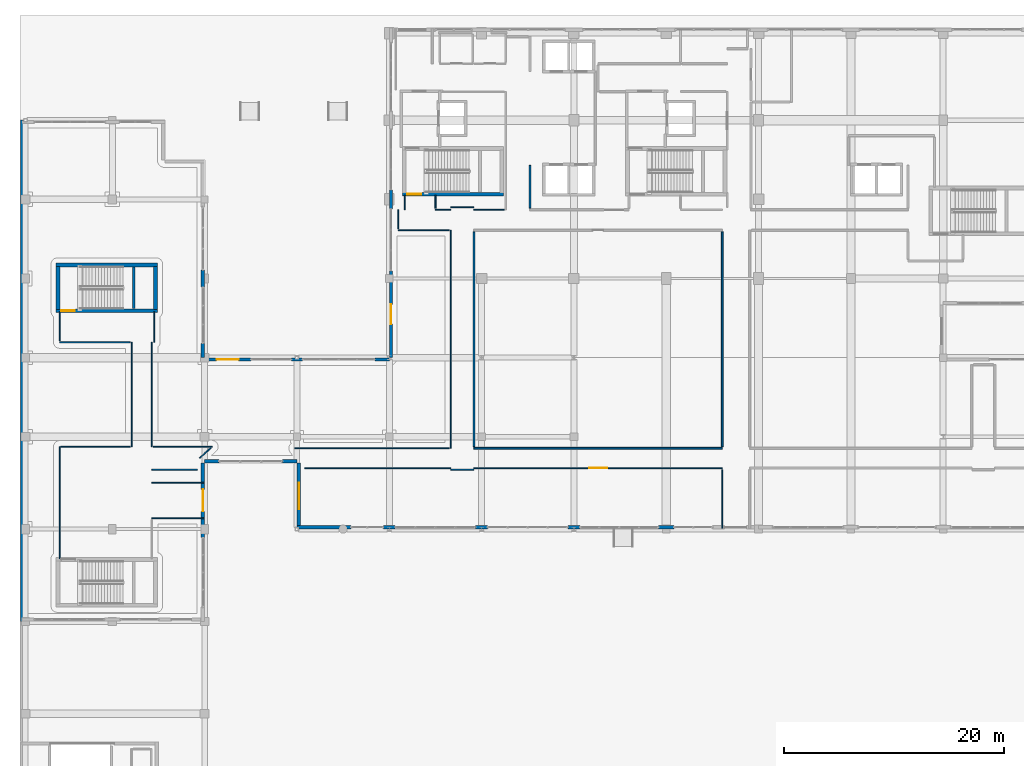
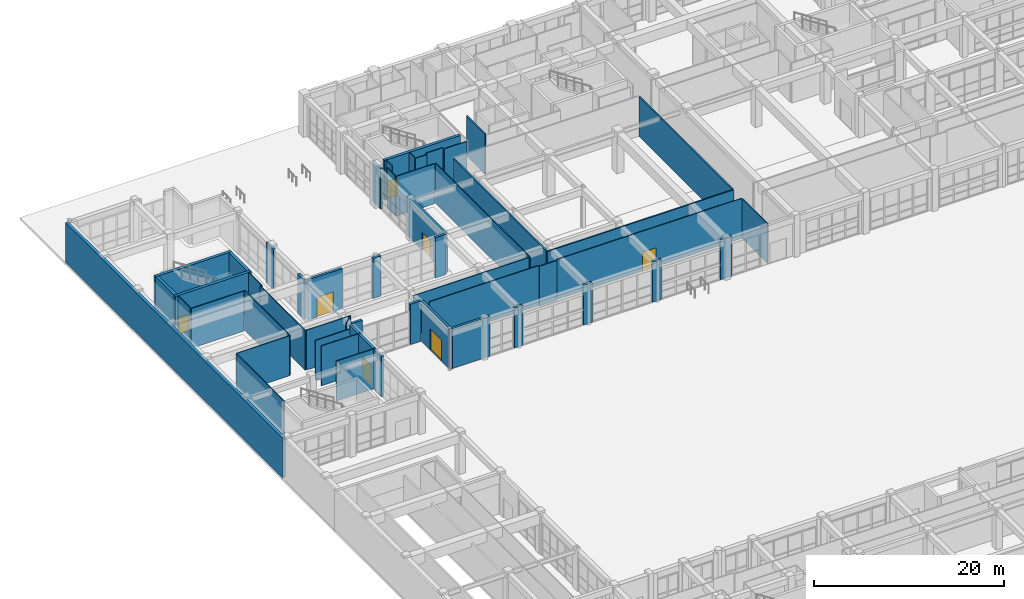
# One storey, part 130 of 148: 52 walls, 7 doors, 7 openings.
"""IFC4 building model written with IfcOpenShell, lengths in metres."""

import ifcopenshell
import ifcopenshell.guid

model = None  # the IFC model being written
_history = None  # IfcOwnerHistory: only IFC2X3 demands one
_inside = {}  # id of a spatial element -> (the spatial element, [elements in it])
_under = {}  # id of a project, library or spatial element -> (it, [spatial elements below it])
_declared = {}  # id of a project -> (the project, [libraries it declares])
_typed = {}  # id of a type object -> (the type object, [elements of that type])
_made_of = {}  # id of a material, layer set ... -> (it, [elements and type objects made of it])


def new_model(schema):
    """Start an empty IFC model of exactly this schema.

    Asked for "IFC4X3", IfcOpenShell would pick the latest addendum, in which some entities
    have other attributes; the version numbers below select the first issue.
    IFC2X3 requires an IfcOwnerHistory on every rooted entity: one is made here for all.
    """
    global model, _history
    if schema == "IFC4X3":
        model = ifcopenshell.file(schema_version=(4, 3, 0, 0))
    else:
        model = ifcopenshell.file(schema=schema)
    _inside.clear()
    _under.clear()
    _declared.clear()
    _typed.clear()
    _made_of.clear()
    _history = None
    if model.schema == "IFC2X3":
        org = make("IfcOrganization", Name="unknown")
        user = make(
            "IfcPersonAndOrganization",
            ThePerson=make("IfcPerson", FamilyName="unknown"),
            TheOrganization=org,
        )
        app = make(
            "IfcApplication",
            ApplicationDeveloper=org,
            Version="unknown",
            ApplicationFullName="unknown",
            ApplicationIdentifier="unknown",
        )
        _history = make(
            "IfcOwnerHistory",
            OwningUser=user,
            OwningApplication=app,
            ChangeAction="ADDED",
            CreationDate=0,
        )
    return model


def make(cls, **values):
    """One entity of the class cls with the attributes given. An attribute that is None is left unset."""
    return model.create_entity(
        cls, **{name: value for name, value in values.items() if value is not None}
    )


def rooted(cls, **values):
    """An entity with a GlobalId (a new one), such as an element, a storey or a relation."""
    return make(cls, GlobalId=ifcopenshell.guid.new(), OwnerHistory=_history, **values)


def si_unit(unit_type, name, prefix=None):
    """IfcSIUnit, for example si_unit("LENGTHUNIT", "METRE", prefix="MILLI")."""
    return make("IfcSIUnit", UnitType=unit_type, Prefix=prefix, Name=name)


def assignment(units):
    """IfcUnitAssignment: the units of a project."""
    return None if units is None else make("IfcUnitAssignment", Units=units)


def point(xyz):
    """IfcCartesianPoint."""
    return None if xyz is None else make("IfcCartesianPoint", Coordinates=xyz)


def direction(xyz):
    """IfcDirection."""
    return None if xyz is None else make("IfcDirection", DirectionRatios=xyz)


def frame(location, z_axis=None, x_axis=None):
    """IfcAxis2Placement3D, a coordinate frame: its origin and axes. An axis left out is left unset."""
    return make(
        "IfcAxis2Placement3D",
        Location=point(location),
        Axis=direction(z_axis),
        RefDirection=direction(x_axis),
    )


def frame_2d(location, x_axis=None):
    """IfcAxis2Placement2D, a coordinate frame in the plane: its origin and x axis."""
    return make(
        "IfcAxis2Placement2D", Location=point(location), RefDirection=direction(x_axis)
    )


def origin():
    """The frame at (0, 0, 0) with its axes left unset."""
    return frame((0.0, 0.0, 0.0))


def place(relative_to, where):
    """IfcLocalPlacement: puts the frame where relative to a parent placement (None: the world)."""
    return make(
        "IfcLocalPlacement", PlacementRelTo=relative_to, RelativePlacement=where
    )


def context(
    kind, dimensions, precision=None, world=None, true_north=None, identifier=None
):
    """IfcGeometricRepresentationContext, for example the 3D "Model" context."""
    return make(
        "IfcGeometricRepresentationContext",
        ContextIdentifier=identifier,
        ContextType=kind,
        CoordinateSpaceDimension=dimensions,
        Precision=precision,
        WorldCoordinateSystem=world,
        TrueNorth=true_north,
    )


def subcontext(parent, identifier, kind, view, scale=None):
    """IfcGeometricRepresentationSubContext, for example "Body" below "Model"."""
    return make(
        "IfcGeometricRepresentationSubContext",
        ContextIdentifier=identifier,
        ContextType=kind,
        ParentContext=parent,
        TargetScale=scale,
        TargetView=view,
    )


def project(units=None, contexts=None):
    """IfcProject with its units and contexts."""
    return rooted(
        "IfcProject",
        Name="project",
        RepresentationContexts=contexts,
        UnitsInContext=assignment(units),
    )


def spatial(cls, under=None, at=None, **own):
    """A site, building, storey or space (cls), placed at a placement, below another one or the project."""
    s = rooted(cls, ObjectPlacement=at, **own)
    if under is not None:
        _under.setdefault(under.id(), (under, []))[1].append(s)
    return s


def profile(cls, at=None, kind="AREA", **sizes):
    """A parametric profile (cls). Its sizes go by their IFC names, for example OverallWidth=200.0."""
    return make(cls, ProfileType=kind, Position=at, **sizes)


def rectangle(**sizes):
    """IfcRectangleProfileDef."""
    return profile("IfcRectangleProfileDef", **sizes)


def extrude(swept, where, along, depth):
    """IfcExtrudedAreaSolid: the profile swept, set in the frame where, extruded along a direction by depth."""
    return make(
        "IfcExtrudedAreaSolid",
        SweptArea=swept,
        Position=where,
        ExtrudedDirection=direction(along),
        Depth=depth,
    )


def shape(context_of_items, identifier, shape_type, items):
    """IfcShapeRepresentation: the items that make up one representation, for example the "Body"."""
    return make(
        "IfcShapeRepresentation",
        ContextOfItems=context_of_items,
        RepresentationIdentifier=identifier,
        RepresentationType=shape_type,
        Items=items,
    )


def material(Name=None, Category=None):
    """IfcMaterial."""
    return make("IfcMaterial", Name=Name, Category=Category)


def layer(
    of_material, thickness, ventilated=None, Name=None, Category=None, Priority=None
):
    """IfcMaterialLayer: one layer of a wall or slab, of a material (None: an air gap)."""
    return make(
        "IfcMaterialLayer",
        Material=of_material,
        LayerThickness=thickness,
        IsVentilated=ventilated,
        Name=Name,
        Category=Category,
        Priority=Priority,
    )


def layer_set(layers, Name=None):
    """IfcMaterialLayerSet."""
    return make("IfcMaterialLayerSet", MaterialLayers=layers, LayerSetName=Name)


def made_of(thing, what):
    """Note that an element or type object is made of a material, layer set ...; save() writes the relation."""
    if what is not None:
        _made_of.setdefault(what.id(), (what, []))[1].append(thing)
    return thing


def type_object(cls, material=None, **own):
    """A type object (cls), such as IfcWallType, which elements share."""
    return made_of(rooted(cls, **own), material)


def element(
    cls,
    number,
    at=None,
    inside=None,
    cuts=None,
    type_object=None,
    material=None,
    context=None,
    identifier="Body",
    shape_type=None,
    held_by="IfcProductDefinitionShape",
    body=None,
    shapes=None,
    **own,
):
    """One element of the class cls, such as IfcWall. Its Tag is "e" and its number.

    at: its placement. inside: the storey or other place that contains it. cuts: it is an
    opening in that element (IfcRelVoidsElement). A single representation is given by context,
    identifier, shape_type and body (its items); several are given by shapes. held_by: the class
    of the entity that holds the representations. save() writes the other relations.
    """
    e = rooted(cls, Tag="e%d" % number, ObjectPlacement=at, **own)
    if body is not None:
        shapes = [shape(context, identifier, shape_type, body)]
    if shapes is not None:
        e.Representation = make(held_by, Representations=shapes)
    if inside is not None:
        _inside.setdefault(inside.id(), (inside, []))[1].append(e)
    if cuts is not None:
        rooted(
            "IfcRelVoidsElement", RelatingBuildingElement=cuts, RelatedOpeningElement=e
        )
    if type_object is not None:
        _typed.setdefault(type_object.id(), (type_object, []))[1].append(e)
    return made_of(e, material)


def fill(opening, filler):
    """IfcRelFillsElement: the door or window that sits in an opening."""
    return rooted(
        "IfcRelFillsElement",
        RelatingOpeningElement=opening,
        RelatedBuildingElement=filler,
    )


def aggregate(whole, parts):
    """IfcRelAggregates: a whole, such as a stair, and the parts it consists of."""
    return rooted("IfcRelAggregates", RelatingObject=whole, RelatedObjects=parts)


def save(model, path):
    """Write the relations noted so far, then the file.

    IfcRelAggregates (storeys below a building ...), IfcRelContainedInSpatialStructure (elements
    in a storey), IfcRelDefinesByType, IfcRelAssociatesMaterial and IfcRelDeclares: one each for
    every whole, place, type object, material and project.
    """
    for whole, parts in _under.values():
        aggregate(whole, parts)
    for where, things in _inside.values():
        rooted(
            "IfcRelContainedInSpatialStructure",
            RelatedElements=things,
            RelatingStructure=where,
        )
    for kind, things in _typed.values():
        rooted("IfcRelDefinesByType", RelatedObjects=things, RelatingType=kind)
    for what, things in _made_of.values():
        rooted("IfcRelAssociatesMaterial", RelatedObjects=things, RelatingMaterial=what)
    for by, libraries in _declared.values():
        rooted("IfcRelDeclares", RelatingContext=by, RelatedDefinitions=libraries)
    model.write(path)


model = new_model("IFC4")

# Units and contexts
model_context = context("Model", 3, precision=1e-05, world=origin(), true_north=direction((0.0, 1.0)))
body_context = subcontext(model_context, "Body", "Model", "MODEL_VIEW")
ifc_project = project(units=[si_unit("LENGTHUNIT", "METRE"), si_unit("AREAUNIT", "SQUARE_METRE"), si_unit("VOLUMEUNIT", "CUBIC_METRE"), si_unit("PLANEANGLEUNIT", "RADIAN"), si_unit("MASSUNIT", "GRAM", prefix="KILO")], contexts=[model_context])

# Site, building, storey
site_placement = place(None, origin())
site = spatial("IfcSite", under=ifc_project, at=site_placement, CompositionType="ELEMENT")
building_placement = place(site_placement, origin())
building = spatial("IfcBuilding", under=site, at=building_placement, Name="Quendrovan Civic Courthouse", CompositionType="ELEMENT")
storey_placement = place(building_placement, origin())
storey = spatial("IfcBuildingStorey", under=building, at=storey_placement, Name="L01", CompositionType="ELEMENT", Elevation=0.0)

# Walls
ifc_material_1 = material(Name="Fire-rated gypsum stud partition")
ifc_layer_1 = layer(ifc_material_1, 0.159912109375, Name="Fire-rated gypsum stud partition")
ifc_layer_set_1 = layer_set([ifc_layer_1], Name="Fire-rated gypsum stud partition")
wall_type_1 = type_object("IfcWallType", Name="WL-COR-160", PredefinedType="PARTITIONING", material=ifc_layer_set_1)
wall_1_placement = place(storey_placement, frame((63.89990234375, 72.14990234375, 0.0), z_axis=(0.0, 0.0, 1.0), x_axis=(-1.0, 0.0, 0.0)))
element("IfcWall", 1, at=wall_1_placement, inside=storey, type_object=wall_type_1, Name="L01 Public Cafe Partition 0164", PredefinedType="PARTITIONING", context=body_context, shape_type="SweptSolid", body=[
    extrude(rectangle(XDim=22.599853515625, YDim=0.159912109375, at=frame_2d((11.2998046875, 0.0))), origin(), (0.0, 0.0, 1.0), 5.1201171875),
])
for number, where, z_axis, x_axis, name in (
    (2, (41.300048828125, 72.31005859375, 0.0), (0.0, 0.0, 1.0), (0.0, 1.0, 0.0), "L01 Public Cafe Partition 0170"),
    (3, (63.89990234375, 91.840087890625, 0.0), (0.0, 0.0, 1.0), (0.0, -1.0, 0.0), "L01 Public Cafe Partition 0171"),
):
    element("IfcWall", number, at=place(storey_placement, frame(where, z_axis=z_axis, x_axis=x_axis)), inside=storey, type_object=wall_type_1, Name=name, PredefinedType="PARTITIONING", context=body_context, shape_type="SweptSolid", body=[
        extrude(rectangle(XDim=19.530029296875, YDim=0.159912109375, at=frame_2d((9.76513671875, 0.0))), origin(), (0.0, 0.0, 1.0), 5.1201171875),
    ])
wall_2_placement = place(storey_placement, frame((46.39990234375, 94.010009765625, 0.0), z_axis=(0.0, 0.0, 1.0), x_axis=(0.0, 1.0, 0.0)))
element("IfcWall", 4, at=wall_2_placement, inside=storey, type_object=wall_type_1, Name="L01 Criminal Case Registry Partition 0239", PredefinedType="PARTITIONING", context=body_context, shape_type="SweptSolid", body=[
    extrude(rectangle(XDim=3.889892578125, YDim=0.159912109375, at=frame_2d((1.94482421875, 0.0))), origin(), (0.0, 0.0, 1.0), 5.1201171875),
])

# Wall, opening, door
ifc_material_2 = material(Name="Concrete C45/55", Category="concrete")
ifc_layer_2 = layer(ifc_material_2, 0.35009765625, Name="Concrete C45/55")
ifc_layer_set_2 = layer_set([ifc_layer_2], Name="Concrete C45/55")
wall_type_2 = type_object("IfcWallType", Name="WL-CORE-350", PredefinedType="SHEAR", material=ifc_layer_set_2)
wall_3_placement = place(storey_placement, frame((34.7900390625, 95.264892578125, 0.0), z_axis=(0.0, 0.0, 1.0), x_axis=(1.0, 0.0, 0.0)))
wall_3 = element("IfcWall", 5, at=wall_3_placement, inside=storey, type_object=wall_type_2, Name="L01 Core Shear Wall ST1-S", PredefinedType="SHEAR", context=body_context, shape_type="SweptSolid", body=[
    extrude(rectangle(XDim=9.219970703125, YDim=0.35009765625, at=frame_2d((4.60986328125, 0.0))), origin(), (0.0, 0.0, 1.0), 5.1201171875),
])
opening_1_placement = place(wall_3_placement, frame((0.449951171875, 0.0, 0.0)))
opening_1 = element("IfcOpeningElement", 6, at=opening_1_placement, cuts=wall_3, Name="Opening DS-ST1-L01", PredefinedType="OPENING", context=body_context, shape_type="SweptSolid", body=[
    extrude(rectangle(XDim=1.25, YDim=2.199951171875, at=frame_2d((0.625, 1.10009765625))), frame((0.0, 0.18505859375, 0.0), z_axis=(0.0, -1.0, 0.0), x_axis=(1.0, 0.0, 0.0)), (0.0, 0.0, 1.0), 0.3701171875),
])
ifc_material_3 = material(Name="Painted galvanized hollow-metal steel", Category="steel")
door_type_1 = type_object("IfcDoorType", Name="DR-STAIR-1250", OperationType="NOTDEFINED", PredefinedType="DOOR", material=ifc_material_3)
door_1_placement = place(opening_1_placement, origin())
door_1 = element("IfcDoor", 7, at=door_1_placement, inside=storey, type_object=door_type_1, Name="L01 Exit Stair ST1 Fire Door", OperationType="SINGLE_SWING_LEFT", OverallHeight=2.199951171875, OverallWidth=1.25, PredefinedType="DOOR", context=body_context, shape_type="SweptSolid", body=[
    extrude(rectangle(XDim=1.25, YDim=2.199951171875, at=frame_2d((0.625, 1.10009765625))), frame((0.0, 0.02490234375, 0.0), z_axis=(0.0, -1.0, 0.0), x_axis=(1.0, 0.0, 0.0)), (0.0, 0.0, 1.0), 0.050048828125),
])
fill(opening_1, door_1)

wall_4_placement = place(storey_placement, frame((3.2900390625, 84.6650390625, 0.0), z_axis=(0.0, 0.0, 1.0), x_axis=(1.0, 0.0, 0.0)))
wall_4 = element("IfcWall", 8, at=wall_4_placement, inside=storey, type_object=wall_type_2, Name="L01 Core Shear Wall ST8-S", PredefinedType="SHEAR", context=body_context, shape_type="SweptSolid", body=[
    extrude(rectangle(XDim=9.219970703125, YDim=0.35009765625, at=frame_2d((4.60986328125, 0.0))), origin(), (0.0, 0.0, 1.0), 5.1201171875),
])
opening_2_placement = place(wall_4_placement, frame((0.449951171875, 0.0, 0.0)))
opening_2 = element("IfcOpeningElement", 9, at=opening_2_placement, cuts=wall_4, Name="Opening DS-ST8-L01", PredefinedType="OPENING", context=body_context, shape_type="SweptSolid", body=[
    extrude(rectangle(XDim=1.25, YDim=2.199951171875, at=frame_2d((0.625, 1.10009765625))), frame((0.0, 0.18505859375, 0.0), z_axis=(0.0, -1.0, 0.0), x_axis=(1.0, 0.0, 0.0)), (0.0, 0.0, 1.0), 0.3701171875),
])
door_2_placement = place(opening_2_placement, origin())
door_2 = element("IfcDoor", 10, at=door_2_placement, inside=storey, type_object=door_type_1, Name="L01 Exit Stair ST8 Fire Door", OperationType="SINGLE_SWING_RIGHT", OverallHeight=2.199951171875, OverallWidth=1.25, PredefinedType="DOOR", context=body_context, shape_type="SweptSolid", body=[
    extrude(rectangle(XDim=1.25, YDim=2.199951171875, at=frame_2d((0.625, 1.10009765625))), frame((0.0, 0.02490234375, 0.0), z_axis=(0.0, -1.0, 0.0), x_axis=(1.0, 0.0, 0.0)), (0.0, 0.0, 1.0), 0.050048828125),
])
fill(opening_2, door_2)

# Walls
wall_5_placement = place(storey_placement, frame((12.510009765625, 88.8349609375, 0.0), z_axis=(0.0, 0.0, 1.0), x_axis=(-1.0, 0.0, 0.0)))
element("IfcWall", 11, at=wall_5_placement, inside=storey, type_object=wall_type_2, Name="L01 Core Shear Wall ST8-N", PredefinedType="SHEAR", context=body_context, shape_type="SweptSolid", body=[
    extrude(rectangle(XDim=9.219970703125, YDim=0.35009765625, at=frame_2d((4.60986328125, 0.0))), origin(), (0.0, 0.0, 1.0), 5.1201171875),
])
for number, where, z_axis, x_axis, name in (
    (12, (3.465087890625, 84.800048828125, 0.0), (0.0, 0.0, 1.0), (0.0, 1.0, 0.0), "L01 Core Shear Wall ST8-W"),
    (13, (12.3349609375, 88.699951171875, 0.0), (0.0, 0.0, 1.0), (0.0, -1.0, 0.0), "L01 Core Shear Wall ST8-E"),
):
    element("IfcWall", number, at=place(storey_placement, frame(where, z_axis=z_axis, x_axis=x_axis)), inside=storey, type_object=wall_type_2, Name=name, PredefinedType="SHEAR", context=body_context, shape_type="SweptSolid", body=[
        extrude(rectangle(XDim=3.89990234375, YDim=0.35009765625, at=frame_2d((1.949951171875, 0.0))), origin(), (0.0, 0.0, 1.0), 5.1201171875),
    ])

# Wall, opening, door
ifc_material_4 = material(Name="Precast concrete C45/55", Category="concrete")
ifc_layer_3 = layer(ifc_material_4, 0.2900390625, Name="Precast concrete C45/55")
ifc_layer_set_3 = layer_set([ifc_layer_3], Name="Precast concrete C45/55")
wall_type_3 = type_object("IfcWallType", Name="WL-EXT-PC290", PredefinedType="SOLIDWALL", material=ifc_layer_set_3)
wall_6_placement = place(storey_placement, frame((25.364990234375, 64.800048828125, 0.0), z_axis=(0.0, 0.0, 1.0), x_axis=(0.0, 1.0, 0.0)))
wall_6 = element("IfcWall", 14, at=wall_6_placement, inside=storey, type_object=wall_type_3, Name="L01 Exterior Civic Portal Wall 075", PredefinedType="SOLIDWALL", context=body_context, shape_type="SweptSolid", body=[
    extrude(rectangle(XDim=6.0, YDim=0.2900390625, at=frame_2d((3.0, 0.0))), origin(), (0.0, 0.0, 1.0), 5.179931640625),
])
opening_3_placement = place(wall_6_placement, frame((1.800048828125, 0.0, 0.0)))
opening_3 = element("IfcOpeningElement", 15, at=opening_3_placement, cuts=wall_6, Name="Opening DE-13", PredefinedType="OPENING", context=body_context, shape_type="SweptSolid", body=[
    extrude(rectangle(XDim=2.39990234375, YDim=2.699951171875, at=frame_2d((1.199951171875, 1.35009765625))), frame((0.0, 0.155029296875, 0.0), z_axis=(0.0, -1.0, 0.0), x_axis=(1.0, 0.0, 0.0)), (0.0, 0.0, 1.0), 0.31005859375),
])
ifc_material_5 = material(Name="Bronze anodised aluminium and low-E glass", Category="aluminium")
door_type_2 = type_object("IfcDoorType", Name="DR-EXT-MAIN-2400", OperationType="NOTDEFINED", PredefinedType="DOOR", material=ifc_material_5)
door_3_placement = place(opening_3_placement, origin())
door_3 = element("IfcDoor", 16, at=door_3_placement, inside=storey, type_object=door_type_2, Name="L01 Courtyard Civic Exit Door DE-13", OperationType="SINGLE_SWING_LEFT", OverallHeight=2.699951171875, OverallWidth=2.39990234375, PredefinedType="DOOR", context=body_context, shape_type="SweptSolid", body=[
    extrude(rectangle(XDim=2.39990234375, YDim=2.699951171875, at=frame_2d((1.199951171875, 1.35009765625))), frame((0.0, 0.02490234375, 0.0), z_axis=(0.0, -1.0, 0.0), x_axis=(1.0, 0.0, 0.0)), (0.0, 0.0, 1.0), 0.050048828125),
])
fill(opening_3, door_3)

# Walls
for number, where, z_axis, x_axis, name in (
    (17, (25.199951171875, 70.965087890625, 0.0), (0.0, 0.0, 1.0), (-1.0, 0.0, 0.0), "L01 Exterior Pier Wall 076"),
    (18, (18.10009765625, 70.965087890625, 0.0), (0.0, 0.0, 1.0), (-1.0, 0.0, 0.0), "L01 Exterior Pier Wall 077"),
):
    element("IfcWall", number, at=place(storey_placement, frame(where, z_axis=z_axis, x_axis=x_axis)), inside=storey, type_object=wall_type_3, Name=name, PredefinedType="SOLIDWALL", context=body_context, shape_type="SweptSolid", body=[
        extrude(rectangle(XDim=1.300048828125, YDim=0.2900390625, at=frame_2d((0.64990234375, 0.0))), origin(), (0.0, 0.0, 1.0), 5.179931640625),
    ])

# Wall, opening, door
wall_7_placement = place(storey_placement, frame((16.635009765625, 70.800048828125, 0.0), z_axis=(0.0, 0.0, 1.0), x_axis=(0.0, -1.0, 0.0)))
wall_7 = element("IfcWall", 19, at=wall_7_placement, inside=storey, type_object=wall_type_3, Name="L01 Exterior Pier Wall 078", PredefinedType="SOLIDWALL", context=body_context, shape_type="SweptSolid", body=[
    extrude(rectangle(XDim=6.775146484375, YDim=0.2900390625, at=frame_2d((3.3876953125, 0.0))), origin(), (0.0, 0.0, 1.0), 5.1201171875),
])
opening_4_placement = place(wall_7_placement, frame((2.387451171875, 0.0, 0.0)))
opening_4 = element("IfcOpeningElement", 20, at=opening_4_placement, cuts=wall_7, Name="Opening DE-04", PredefinedType="OPENING", context=body_context, shape_type="SweptSolid", body=[
    extrude(rectangle(XDim=2.0, YDim=2.550048828125, at=frame_2d((1.0, 1.27490234375))), frame((0.0, 0.155029296875, 0.0), z_axis=(0.0, -1.0, 0.0), x_axis=(1.0, 0.0, 0.0)), (0.0, 0.0, 1.0), 0.31005859375),
])
door_type_3 = type_object("IfcDoorType", Name="DR-EXT-ENTRY-2000", OperationType="NOTDEFINED", PredefinedType="DOOR", material=ifc_material_5)
door_4_placement = place(opening_4_placement, origin())
door_4 = element("IfcDoor", 21, at=door_4_placement, inside=storey, type_object=door_type_3, Name="L01 Civic Entrance and Exit Discharge Door DE-04", OperationType="SINGLE_SWING_LEFT", OverallHeight=2.550048828125, OverallWidth=2.0, PredefinedType="DOOR", context=body_context, shape_type="SweptSolid", body=[
    extrude(rectangle(XDim=2.0, YDim=2.550048828125, at=frame_2d((1.0, 1.27490234375))), frame((0.0, 0.02490234375, 0.0), z_axis=(0.0, -1.0, 0.0), x_axis=(1.0, 0.0, 0.0)), (0.0, 0.0, 1.0), 0.050048828125),
])
fill(opening_4, door_4)

# Walls
wall_8_placement = place(storey_placement, frame((16.635009765625, 88.375, 0.0), z_axis=(0.0, 0.0, 1.0), x_axis=(0.0, -1.0, 0.0)))
element("IfcWall", 22, at=wall_8_placement, inside=storey, type_object=wall_type_3, Name="L01 Exterior Pier Wall 090", PredefinedType="SOLIDWALL", context=body_context, shape_type="SweptSolid", body=[
    extrude(rectangle(XDim=1.550048828125, YDim=0.2900390625, at=frame_2d((0.77490234375, 0.0))), origin(), (0.0, 0.0, 1.0), 5.1201171875),
])
wall_9_placement = place(storey_placement, frame((16.635009765625, 81.699951171875, 0.0), z_axis=(0.0, 0.0, 1.0), x_axis=(0.0, -1.0, 0.0)))
element("IfcWall", 23, at=wall_9_placement, inside=storey, type_object=wall_type_3, Name="L01 Exterior Pier Wall 091", PredefinedType="SOLIDWALL", context=body_context, shape_type="SweptSolid", body=[
    extrude(rectangle(XDim=1.300048828125, YDim=0.2900390625, at=frame_2d((0.64990234375, 0.0))), origin(), (0.0, 0.0, 1.0), 5.1201171875),
])

# Wall, opening, door
wall_10_placement = place(storey_placement, frame((16.800048828125, 80.235107421875, 0.0), z_axis=(0.0, 0.0, 1.0), x_axis=(1.0, 0.0, 0.0)))
wall_10 = element("IfcWall", 24, at=wall_10_placement, inside=storey, type_object=wall_type_3, Name="L01 Exterior Pier Wall 092", PredefinedType="SOLIDWALL", context=body_context, shape_type="SweptSolid", body=[
    extrude(rectangle(XDim=4.199951171875, YDim=0.2900390625, at=frame_2d((2.10009765625, 0.0))), origin(), (0.0, 0.0, 1.0), 5.179931640625),
])
opening_5_placement = place(wall_10_placement, frame((1.10009765625, 0.0, 0.0)))
opening_5 = element("IfcOpeningElement", 25, at=opening_5_placement, cuts=wall_10, Name="Opening DE-07", PredefinedType="OPENING", context=body_context, shape_type="SweptSolid", body=[
    extrude(rectangle(XDim=2.0, YDim=2.550048828125, at=frame_2d((1.0, 1.27490234375))), frame((0.0, 0.155029296875, 0.0), z_axis=(0.0, -1.0, 0.0), x_axis=(1.0, 0.0, 0.0)), (0.0, 0.0, 1.0), 0.31005859375),
])
door_5_placement = place(opening_5_placement, origin())
door_5 = element("IfcDoor", 26, at=door_5_placement, inside=storey, type_object=door_type_3, Name="L01 Civic Entrance and Exit Discharge Door DE-07", OperationType="SINGLE_SWING_LEFT", OverallHeight=2.550048828125, OverallWidth=2.0, PredefinedType="DOOR", context=body_context, shape_type="SweptSolid", body=[
    extrude(rectangle(XDim=2.0, YDim=2.550048828125, at=frame_2d((1.0, 1.27490234375))), frame((0.0, 0.02490234375, 0.0), z_axis=(0.0, -1.0, 0.0), x_axis=(1.0, 0.0, 0.0)), (0.0, 0.0, 1.0), 0.050048828125),
])
fill(opening_5, door_5)

# Walls
wall_11_placement = place(storey_placement, frame((24.699951171875, 80.235107421875, 0.0), z_axis=(0.0, 0.0, 1.0), x_axis=(1.0, 0.0, 0.0)))
element("IfcWall", 27, at=wall_11_placement, inside=storey, type_object=wall_type_3, Name="L01 Exterior Pier Wall 093", PredefinedType="SOLIDWALL", context=body_context, shape_type="SweptSolid", body=[
    extrude(rectangle(XDim=1.0, YDim=0.2900390625, at=frame_2d((0.5, 0.0))), origin(), (0.0, 0.0, 1.0), 5.179931640625),
])
wall_12_placement = place(storey_placement, frame((32.300048828125, 80.235107421875, 0.0), z_axis=(0.0, 0.0, 1.0), x_axis=(1.0, 0.0, 0.0)))
element("IfcWall", 28, at=wall_12_placement, inside=storey, type_object=wall_type_3, Name="L01 Exterior Pier Wall 094", PredefinedType="SOLIDWALL", context=body_context, shape_type="SweptSolid", body=[
    extrude(rectangle(XDim=1.300048828125, YDim=0.2900390625, at=frame_2d((0.64990234375, 0.0))), origin(), (0.0, 0.0, 1.0), 5.179931640625),
])

# Wall, opening, door
wall_13_placement = place(storey_placement, frame((33.764892578125, 80.39990234375, 0.0), z_axis=(0.0, 0.0, 1.0), x_axis=(0.0, 1.0, 0.0)))
wall_13 = element("IfcWall", 29, at=wall_13_placement, inside=storey, type_object=wall_type_3, Name="L01 Exterior Pier Wall 095", PredefinedType="SOLIDWALL", context=body_context, shape_type="SweptSolid", body=[
    extrude(rectangle(XDim=7.900146484375, YDim=0.2900390625, at=frame_2d((3.9501953125, 0.0))), origin(), (0.0, 0.0, 1.0), 5.1201171875),
])
opening_6_placement = place(wall_13_placement, frame((3.050048828125, 0.0, 0.0)))
opening_6 = element("IfcOpeningElement", 30, at=opening_6_placement, cuts=wall_13, Name="Opening DE-08", PredefinedType="OPENING", context=body_context, shape_type="SweptSolid", body=[
    extrude(rectangle(XDim=1.800048828125, YDim=2.300048828125, at=frame_2d((0.89990234375, 1.14990234375))), frame((0.0, 0.155029296875, 0.0), z_axis=(0.0, -1.0, 0.0), x_axis=(1.0, 0.0, 0.0)), (0.0, 0.0, 1.0), 0.31005859375),
])
ifc_material_6 = material(Name="Painted galvanized hollow-metal steel ASTM A653 Grade 50", Category="steel")
door_type_4 = type_object("IfcDoorType", Name="DR-EXT-EXIT-1800", OperationType="NOTDEFINED", PredefinedType="DOOR", material=ifc_material_6)
door_6_placement = place(opening_6_placement, origin())
door_6 = element("IfcDoor", 31, at=door_6_placement, inside=storey, type_object=door_type_4, Name="L01 Civic Entrance and Exit Discharge Door DE-08", OperationType="SINGLE_SWING_LEFT", OverallHeight=2.300048828125, OverallWidth=1.800048828125, PredefinedType="DOOR", context=body_context, shape_type="SweptSolid", body=[
    extrude(rectangle(XDim=1.800048828125, YDim=2.300048828125, at=frame_2d((0.89990234375, 1.14990234375))), frame((0.0, 0.02490234375, 0.0), z_axis=(0.0, -1.0, 0.0), x_axis=(1.0, 0.0, 0.0)), (0.0, 0.0, 1.0), 0.050048828125),
])
fill(opening_6, door_6)

# Walls
wall_14_placement = place(storey_placement, frame((33.764892578125, 93.925048828125, 0.0), z_axis=(0.0, 0.0, 1.0), x_axis=(0.0, 1.0, 0.0)))
element("IfcWall", 32, at=wall_14_placement, inside=storey, type_object=wall_type_3, Name="L01 Exterior Pier Wall 096", PredefinedType="SOLIDWALL", context=body_context, shape_type="SweptSolid", body=[
    extrude(rectangle(XDim=1.75, YDim=0.2900390625, at=frame_2d((0.875, 0.0))), origin(), (0.0, 0.0, 1.0), 5.1201171875),
])
wall_15_placement = place(storey_placement, frame((59.5, 64.965087890625, 0.0), z_axis=(0.0, 0.0, 1.0), x_axis=(-1.0, 0.0, 0.0)))
element("IfcWall", 33, at=wall_15_placement, inside=storey, type_object=wall_type_3, Name="L01 Exterior Pier Wall 158", PredefinedType="SOLIDWALL", context=body_context, shape_type="SweptSolid", body=[
    extrude(rectangle(XDim=1.39990234375, YDim=0.2900390625, at=frame_2d((0.699951171875, 0.0))), origin(), (0.0, 0.0, 1.0), 5.1201171875),
])
wall_16_placement = place(storey_placement, frame((50.93701171875, 64.965087890625, 0.0), z_axis=(0.0, 0.0, 1.0), x_axis=(-1.0, 0.0, 0.0)))
element("IfcWall", 34, at=wall_16_placement, inside=storey, type_object=wall_type_3, Name="L01 Exterior Pier Wall 159", PredefinedType="SOLIDWALL", context=body_context, shape_type="SweptSolid", body=[
    extrude(rectangle(XDim=1.073974609375, YDim=0.2900390625, at=frame_2d((0.537109375, 0.0))), origin(), (0.0, 0.0, 1.0), 5.1201171875),
])
wall_17_placement = place(storey_placement, frame((42.537109375, 64.965087890625, 0.0), z_axis=(0.0, 0.0, 1.0), x_axis=(-1.0, 0.0, 0.0)))
element("IfcWall", 35, at=wall_17_placement, inside=storey, type_object=wall_type_3, Name="L01 Exterior Pier Wall 160", PredefinedType="SOLIDWALL", context=body_context, shape_type="SweptSolid", body=[
    extrude(rectangle(XDim=1.07421875, YDim=0.2900390625, at=frame_2d((0.537109375, 0.0))), origin(), (0.0, 0.0, 1.0), 5.1201171875),
])
wall_18_placement = place(storey_placement, frame((34.136962890625, 64.965087890625, 0.0), z_axis=(0.0, 0.0, 1.0), x_axis=(-1.0, 0.0, 0.0)))
element("IfcWall", 36, at=wall_18_placement, inside=storey, type_object=wall_type_3, Name="L01 Exterior Pier Wall 161", PredefinedType="SOLIDWALL", context=body_context, shape_type="SweptSolid", body=[
    extrude(rectangle(XDim=1.073974609375, YDim=0.2900390625, at=frame_2d((0.537109375, 0.0))), origin(), (0.0, 0.0, 1.0), 5.1201171875),
])
wall_19_placement = place(storey_placement, frame((30.125, 64.965087890625, 0.0), z_axis=(0.0, 0.0, 1.0), x_axis=(-1.0, 0.0, 0.0)))
element("IfcWall", 37, at=wall_19_placement, inside=storey, type_object=wall_type_3, Name="L01 Exterior Pier Wall 162", PredefinedType="SOLIDWALL", context=body_context, shape_type="SweptSolid", body=[
    extrude(rectangle(XDim=4.925048828125, YDim=0.2900390625, at=frame_2d((2.46240234375, 0.0))), origin(), (0.0, 0.0, 1.0), 5.1201171875),
])

# Wall, opening, door
ifc_material_7 = material(Name="Lightweight gypsum partition")
ifc_layer_4 = layer(ifc_material_7, 0.10009765625, Name="Lightweight gypsum partition")
ifc_layer_set_4 = layer_set([ifc_layer_4], Name="Lightweight gypsum partition")
wall_type_4 = type_object("IfcWallType", Name="WL-INT-100", PredefinedType="PARTITIONING", material=ifc_layer_set_4)
wall_20_placement = place(storey_placement, frame((41.300048828125, 70.35009765625, 0.0), z_axis=(0.0, 0.0, 1.0), x_axis=(1.0, 0.0, 0.0)))
wall_20 = element("IfcWall", 38, at=wall_20_placement, inside=storey, type_object=wall_type_4, Name="L01 Public Hall Partition 0162", PredefinedType="PARTITIONING", context=body_context, shape_type="SweptSolid", body=[
    extrude(rectangle(XDim=22.599853515625, YDim=0.10009765625, at=frame_2d((11.2998046875, 0.0))), origin(), (0.0, 0.0, 1.0), 5.1201171875),
])
opening_7_placement = place(wall_20_placement, frame((10.47998046875, 0.0, 0.0)))
opening_7 = element("IfcOpeningElement", 39, at=opening_7_placement, cuts=wall_20, Name="Opening D-L01-033", PredefinedType="OPENING", context=body_context, shape_type="SweptSolid", body=[
    extrude(rectangle(XDim=1.639892578125, YDim=2.419921875, at=frame_2d((0.81982421875, 1.2099609375))), frame((0.0, 0.06005859375, 0.0), z_axis=(0.0, -1.0, 0.0), x_axis=(1.0, 0.0, 0.0)), (0.0, 0.0, 1.0), 0.1201171875),
])
ifc_material_8 = material(Name="Bronze-anodised aluminium glazed door", Category="aluminium")
door_type_5 = type_object("IfcDoorType", Name="DR-REG-1640", OperationType="NOTDEFINED", PredefinedType="DOOR", material=ifc_material_8)
door_7_placement = place(opening_7_placement, origin())
door_7 = element("IfcDoor", 40, at=door_7_placement, inside=storey, type_object=door_type_5, Name="L01 Public Hall Door D-L01-033", OperationType="SINGLE_SWING_RIGHT", OverallHeight=2.419921875, OverallWidth=1.639892578125, PredefinedType="DOOR", context=body_context, shape_type="SweptSolid", body=[
    extrude(rectangle(XDim=1.639892578125, YDim=2.419921875, at=frame_2d((0.81982421875, 1.2099609375))), frame((0.0, 0.02490234375, 0.0), z_axis=(0.0, -1.0, 0.0), x_axis=(1.0, 0.0, 0.0)), (0.0, 0.0, 1.0), 0.050048828125),
])
fill(opening_7, door_7)

# Walls
wall_21_placement = place(storey_placement, frame((39.199951171875, 92.0, 0.0), z_axis=(0.0, 0.0, 1.0), x_axis=(0.0, -1.0, 0.0)))
element("IfcWall", 41, at=wall_21_placement, inside=storey, type_object=wall_type_4, Name="L01 Public Hall Partition 0168", PredefinedType="PARTITIONING", context=body_context, shape_type="SweptSolid", body=[
    extrude(rectangle(XDim=19.85009765625, YDim=0.10009765625, at=frame_2d((9.925048828125, 0.0))), origin(), (0.0, 0.0, 1.0), 5.1201171875),
])
wall_22_placement = place(storey_placement, frame((39.070068359375, 72.14990234375, 0.0), z_axis=(0.0, 0.0, 1.0), x_axis=(-1.0, 0.0, 0.0)))
element("IfcWall", 42, at=wall_22_placement, inside=storey, type_object=wall_type_4, Name="L01 Public Hall Partition 0185", PredefinedType="PARTITIONING", context=body_context, shape_type="SweptSolid", body=[
    extrude(rectangle(XDim=14.06005859375, YDim=0.10009765625, at=frame_2d((7.030029296875, 0.0))), origin(), (0.0, 0.0, 1.0), 5.1201171875),
])
wall_23_placement = place(storey_placement, frame((25.919921875, 70.35009765625, 0.0), z_axis=(0.0, 0.0, 1.0), x_axis=(1.0, 0.0, 0.0)))
element("IfcWall", 43, at=wall_23_placement, inside=storey, type_object=wall_type_4, Name="L01 Public Hall Partition 0188", PredefinedType="PARTITIONING", context=body_context, shape_type="SweptSolid", body=[
    extrude(rectangle(XDim=13.280029296875, YDim=0.10009765625, at=frame_2d((6.64013671875, 0.0))), origin(), (0.0, 0.0, 1.0), 5.1201171875),
])
wall_24_placement = place(storey_placement, frame((3.60009765625, 72.300048828125, 0.0), z_axis=(0.0, 0.0, 1.0), x_axis=(0.0, -1.0, 0.0)))
element("IfcWall", 44, at=wall_24_placement, inside=storey, type_object=wall_type_4, Name="L01 Public Hall Partition 0193", PredefinedType="PARTITIONING", context=body_context, shape_type="SweptSolid", body=[
    extrude(rectangle(XDim=10.179931640625, YDim=0.10009765625, at=frame_2d((5.08984375, 0.0))), origin(), (0.0, 0.0, 1.0), 5.1201171875),
])
for number, where, z_axis, x_axis, name in (
    (45, (12.0, 72.300048828125, 0.0), (0.0, 0.0, 1.0), (0.0, 1.0, 0.0), "L01 Public Hall Partition 0196"),
    (46, (10.14990234375, 81.800048828125, 0.0), (0.0, 0.0, 1.0), (0.0, -1.0, 0.0), "L01 Public Hall Partition 0197"),
):
    element("IfcWall", number, at=place(storey_placement, frame(where, z_axis=z_axis, x_axis=x_axis)), inside=storey, type_object=wall_type_4, Name=name, PredefinedType="PARTITIONING", context=body_context, shape_type="SweptSolid", body=[
        extrude(rectangle(XDim=9.5, YDim=0.10009765625, at=frame_2d((4.75, 0.0))), origin(), (0.0, 0.0, 1.0), 5.1201171875),
    ])
wall_25_placement = place(storey_placement, frame((3.60009765625, 81.800048828125, 0.0), z_axis=(0.0, 0.0, 1.0), x_axis=(1.0, 0.0, 0.0)))
element("IfcWall", 47, at=wall_25_placement, inside=storey, type_object=wall_type_4, Name="L01 Public Hall Partition 0208", PredefinedType="PARTITIONING", context=body_context, shape_type="SweptSolid", body=[
    extrude(rectangle(XDim=6.419921875, YDim=0.10009765625, at=frame_2d((3.2099609375, 0.0))), origin(), (0.0, 0.0, 1.0), 5.1201171875),
])
wall_26_placement = place(storey_placement, frame((10.02001953125, 72.300048828125, 0.0), z_axis=(0.0, 0.0, 1.0), x_axis=(-1.0, 0.0, 0.0)))
element("IfcWall", 48, at=wall_26_placement, inside=storey, type_object=wall_type_4, Name="L01 Public Hall Partition 0209", PredefinedType="PARTITIONING", context=body_context, shape_type="SweptSolid", body=[
    extrude(rectangle(XDim=6.2900390625, YDim=0.10009765625, at=frame_2d((3.14501953125, 0.0))), origin(), (0.0, 0.0, 1.0), 5.1201171875),
])
wall_27_placement = place(storey_placement, frame((17.489990234375, 72.300048828125, 0.0), z_axis=(0.0, 0.0, 1.0), x_axis=(-1.0, 0.0, 0.0)))
element("IfcWall", 49, at=wall_27_placement, inside=storey, type_object=wall_type_4, Name="L01 Public Hall Partition 0219", PredefinedType="PARTITIONING", context=body_context, shape_type="SweptSolid", body=[
    extrude(rectangle(XDim=5.360107421875, YDim=0.10009765625, at=frame_2d((2.68017578125, 0.0))), origin(), (0.0, 0.0, 1.0), 5.1201171875),
])
wall_28_placement = place(storey_placement, frame((63.89990234375, 70.219970703125, 0.0), z_axis=(0.0, 0.0, 1.0), x_axis=(0.0, -1.0, 0.0)))
element("IfcWall", 50, at=wall_28_placement, inside=storey, type_object=wall_type_4, Name="L01 Public Hall Partition 0220", PredefinedType="PARTITIONING", context=body_context, shape_type="SweptSolid", body=[
    extrude(rectangle(XDim=5.35986328125, YDim=0.10009765625, at=frame_2d((2.679931640625, 0.0))), origin(), (0.0, 0.0, 1.0), 5.1201171875),
])
wall_29_placement = place(storey_placement, frame((34.39990234375, 92.0, 0.0), z_axis=(0.0, 0.0, 1.0), x_axis=(1.0, 0.0, 0.0)))
element("IfcWall", 51, at=wall_29_placement, inside=storey, type_object=wall_type_4, Name="L01 Public Hall Partition 0228", PredefinedType="PARTITIONING", context=body_context, shape_type="SweptSolid", body=[
    extrude(rectangle(XDim=4.670166015625, YDim=0.10009765625, at=frame_2d((2.3349609375, 0.0))), origin(), (0.0, 0.0, 1.0), 5.1201171875),
])
for number, where, z_axis, x_axis, name in (
    (52, (16.739990234375, 69.0, 0.0), (0.0, 0.0, 1.0), (-1.0, 0.0, 0.0), "L01 Public Hall Partition 0229"),
    (53, (12.0, 65.800048828125, 0.0), (0.0, 0.0, 1.0), (1.0, 0.0, 0.0), "L01 Public Hall Partition 0230"),
):
    element("IfcWall", number, at=place(storey_placement, frame(where, z_axis=z_axis, x_axis=x_axis)), inside=storey, type_object=wall_type_4, Name=name, PredefinedType="PARTITIONING", context=body_context, shape_type="SweptSolid", body=[
        extrude(rectangle(XDim=4.739990234375, YDim=0.10009765625, at=frame_2d((2.3701171875, 0.0))), origin(), (0.0, 0.0, 1.0), 5.1201171875),
    ])
wall_30_placement = place(storey_placement, frame((12.0, 70.199951171875, 0.0), z_axis=(0.0, 0.0, 1.0), x_axis=(1.0, 0.0, 0.0)))
element("IfcWall", 54, at=wall_30_placement, inside=storey, type_object=wall_type_4, Name="L01 Public Hall Partition 0238", PredefinedType="PARTITIONING", context=body_context, shape_type="SweptSolid", body=[
    extrude(rectangle(XDim=4.14990234375, YDim=0.10009765625, at=frame_2d((2.074951171875, 0.0))), origin(), (0.0, 0.0, 1.0), 5.1201171875),
])
wall_31_placement = place(storey_placement, frame((44.070068359375, 93.85009765625, 0.0), z_axis=(0.0, 0.0, 1.0), x_axis=(-1.0, 0.0, 0.0)))
element("IfcWall", 55, at=wall_31_placement, inside=storey, type_object=wall_type_4, Name="L01 Public Hall Partition 0253", PredefinedType="PARTITIONING", context=body_context, shape_type="SweptSolid", body=[
    extrude(rectangle(XDim=2.77001953125, YDim=0.10009765625, at=frame_2d((1.385009765625, 0.0))), origin(), (0.0, 0.0, 1.0), 5.1201171875),
])
wall_32_placement = place(storey_placement, frame((12.199951171875, 81.800048828125, 0.0), z_axis=(0.0, 0.0, 1.0), x_axis=(0.0, 1.0, 0.0)))
element("IfcWall", 56, at=wall_32_placement, inside=storey, type_object=wall_type_4, Name="L01 Public Hall Partition 0261", PredefinedType="PARTITIONING", context=body_context, shape_type="SweptSolid", body=[
    extrude(rectangle(XDim=2.780029296875, YDim=0.10009765625, at=frame_2d((1.39013671875, 0.0))), origin(), (0.0, 0.0, 1.0), 5.1201171875),
])
wall_33_placement = place(storey_placement, frame((3.60009765625, 84.580078125, 0.0), z_axis=(0.0, 0.0, 1.0), x_axis=(0.0, -1.0, 0.0)))
element("IfcWall", 57, at=wall_33_placement, inside=storey, type_object=wall_type_4, Name="L01 Public Hall Partition 0262", PredefinedType="PARTITIONING", context=body_context, shape_type="SweptSolid", body=[
    extrude(rectangle(XDim=2.650146484375, YDim=0.10009765625, at=frame_2d((1.3251953125, 0.0))), origin(), (0.0, 0.0, 1.0), 5.1201171875),
])
for number, where, z_axis, x_axis, name in (
    (58, (41.300048828125, 94.10009765625, 0.0), (0.0, 0.0, 1.0), (-1.0, 0.0, 0.0), "L01 Public Hall Partition 0273"),
    (59, (39.199951171875, 70.199951171875, 0.0), (0.0, 0.0, 1.0), (1.0, 0.0, 0.0), "L01 Public Hall Partition 0274"),
):
    element("IfcWall", number, at=place(storey_placement, frame(where, z_axis=z_axis, x_axis=x_axis)), inside=storey, type_object=wall_type_4, Name=name, PredefinedType="PARTITIONING", context=body_context, shape_type="SweptSolid", body=[
        extrude(rectangle(XDim=2.10009765625, YDim=0.10009765625, at=frame_2d((1.050048828125, 0.0))), origin(), (0.0, 0.0, 1.0), 5.1201171875),
    ])
wall_34_placement = place(storey_placement, frame((34.39990234375, 93.85009765625, 0.0), z_axis=(0.0, 0.0, 1.0), x_axis=(0.0, -1.0, 0.0)))
element("IfcWall", 60, at=wall_34_placement, inside=storey, type_object=wall_type_4, Name="L01 Public Hall Partition 0278", PredefinedType="PARTITIONING", context=body_context, shape_type="SweptSolid", body=[
    extrude(rectangle(XDim=1.72021484375, YDim=0.10009765625, at=frame_2d((0.860107421875, 0.0))), origin(), (0.0, 0.0, 1.0), 5.1201171875),
])
wall_35_placement = place(storey_placement, frame((16.340087890625, 71.260009765625, 0.0), z_axis=(0.0, 0.0, 1.0), x_axis=(0.741672202812, 0.670762509071, 0.0)))
element("IfcWall", 61, at=wall_35_placement, inside=storey, type_object=wall_type_4, Name="L01 Public Hall Partition 0282", PredefinedType="PARTITIONING", context=body_context, shape_type="SweptSolid", body=[
    extrude(rectangle(XDim=1.3564453125, YDim=0.10009765625, at=frame_2d((0.67822265625, 0.0))), origin(), (0.0, 0.0, 1.0), 5.1201171875),
])
wall_36_placement = place(storey_placement, frame((39.199951171875, 93.85009765625, 0.0), z_axis=(0.0, 0.0, 1.0), x_axis=(-1.0, 0.0, 0.0)))
element("IfcWall", 62, at=wall_36_placement, inside=storey, type_object=wall_type_4, Name="L01 Public Hall Partition 0284", PredefinedType="PARTITIONING", context=body_context, shape_type="SweptSolid", body=[
    extrude(rectangle(XDim=1.39990234375, YDim=0.10009765625, at=frame_2d((0.699951171875, 0.0))), origin(), (0.0, 0.0, 1.0), 5.1201171875),
])
wall_37_placement = place(storey_placement, frame((37.800048828125, 93.97998046875, 0.0), z_axis=(0.0, 0.0, 1.0), x_axis=(0.0, 1.0, 0.0)))
element("IfcWall", 63, at=wall_37_placement, inside=storey, type_object=wall_type_4, Name="L01 Public Hall Partition 0285", PredefinedType="PARTITIONING", context=body_context, shape_type="SweptSolid", body=[
    extrude(rectangle(XDim=1.199951171875, YDim=0.10009765625, at=frame_2d((0.60009765625, 0.0))), origin(), (0.0, 0.0, 1.0), 5.1201171875),
])
wall_38_placement = place(storey_placement, frame((35.0, 95.179931640625, 0.0), z_axis=(0.0, 0.0, 1.0), x_axis=(0.0, -1.0, 0.0)))
element("IfcWall", 64, at=wall_38_placement, inside=storey, type_object=wall_type_4, Name="L01 Public Hall Partition 0286", PredefinedType="PARTITIONING", context=body_context, shape_type="SweptSolid", body=[
    extrude(rectangle(XDim=1.329833984375, YDim=0.10009765625, at=frame_2d((0.6650390625, 0.0))), origin(), (0.0, 0.0, 1.0), 5.1201171875),
])
ifc_material_9 = material(Name="Concrete C40/50", Category="concrete")
ifc_layer_5 = layer(ifc_material_9, 0.360107421875, Name="Concrete C40/50")
ifc_layer_set_5 = layer_set([ifc_layer_5], Name="Concrete C40/50")
wall_type_5 = type_object("IfcWallType", Name="WL-PARTY-360", PredefinedType="SOLIDWALL", material=ifc_layer_set_5)
wall_39_placement = place(storey_placement, frame((0.2099609375, 56.39990234375, 0.0), z_axis=(0.0, 0.0, 1.0), x_axis=(0.0, 1.0, 0.0)))
element("IfcWall", 65, at=wall_39_placement, inside=storey, type_object=wall_type_5, Name="L01 Fire-Rated Boundary Party Wall 083", PredefinedType="SOLIDWALL", context=body_context, shape_type="SweptSolid", body=[
    extrude(rectangle(XDim=45.60009765625, YDim=0.360107421875, at=frame_2d((22.800048828125, 0.0))), origin(), (0.0, 0.0, 1.0), 5.1201171875),
])
ifc_layer_6 = layer(ifc_material_2, 0.25, Name="Concrete C45/55")
ifc_layer_set_6 = layer_set([ifc_layer_6], Name="Concrete C45/55")
wall_type_6 = type_object("IfcWallType", Name="WL-SHAFT-250", PredefinedType="SHEAR", material=ifc_layer_set_6)
wall_40_placement = place(storey_placement, frame((10.35009765625, 84.85009765625, 0.0), z_axis=(0.0, 0.0, 1.0), x_axis=(0.0, 1.0, 0.0)))
element("IfcWall", 66, at=wall_40_placement, inside=storey, type_object=wall_type_6, Name="L01 Stair ST8 Mid-Landing Bearing Wall", PredefinedType="SHEAR", context=body_context, shape_type="SweptSolid", body=[
    extrude(rectangle(XDim=3.7998046875, YDim=0.25, at=frame_2d((1.89990234375, 0.0))), origin(), (0.0, 0.0, 1.0), 2.52001953125),
])

save(model, "model.ifc")
